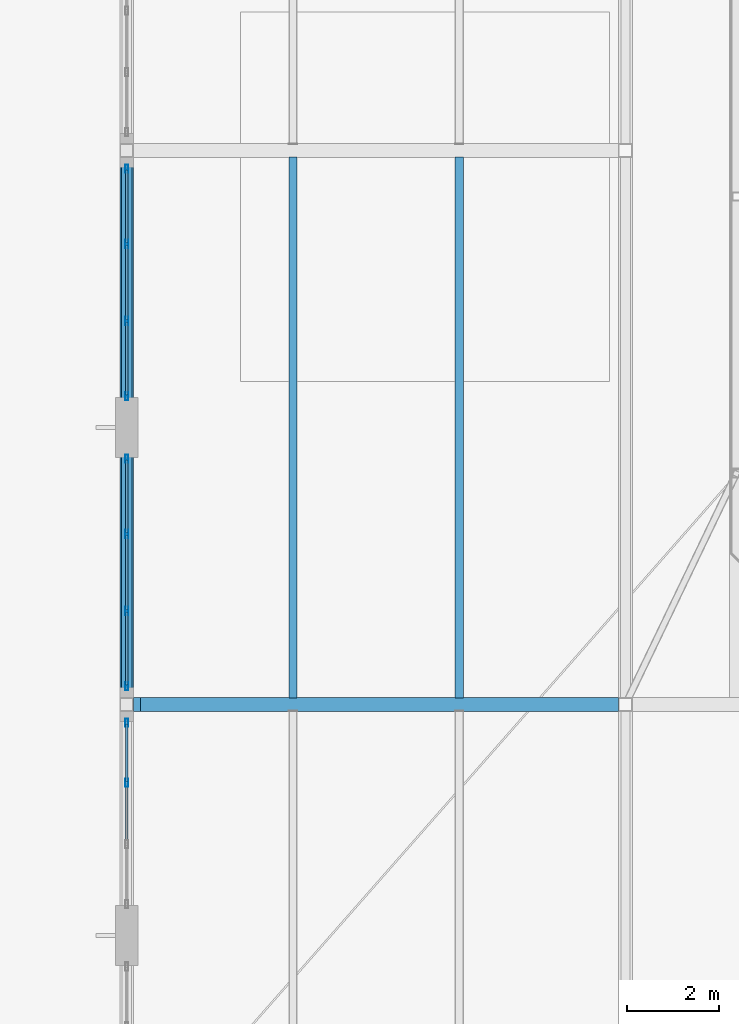
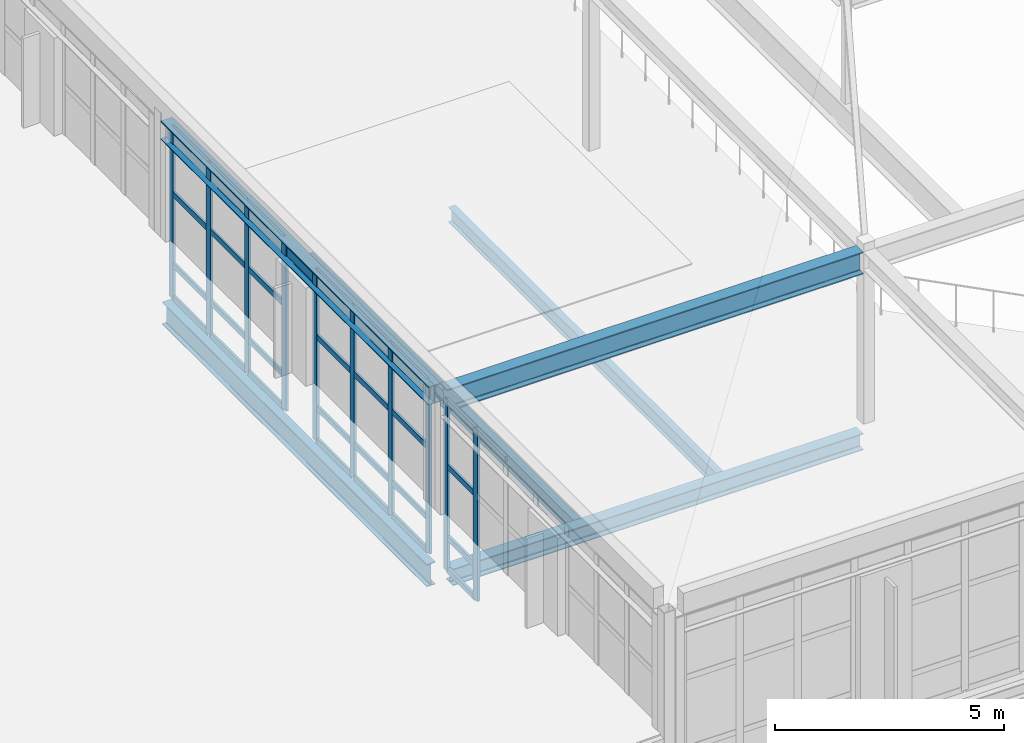
# One storey, part 12 of 86: 39 members, 6 beams, 3 elements without a shape of their own.
"""IFC4 building model written with IfcOpenShell, lengths in metres."""

from ifc_helpers import new_model, si_unit, direction, frame, origin, origin_2d, place, context, subcontext, project, spatial, hollow_rectangle, i_section, extrude, material, layer, layer_set, material_profile, profile_set, type_object, element, aggregate, save


model = new_model("IFC4")

# Units and contexts
model_context = context("Model", 3, precision=1e-05, world=origin(), true_north=direction((0.0, 1.0)))
body_context = subcontext(model_context, "Body", "Model", "MODEL_VIEW")
ifc_project = project(units=[si_unit("LENGTHUNIT", "METRE"), si_unit("AREAUNIT", "SQUARE_METRE"), si_unit("VOLUMEUNIT", "CUBIC_METRE"), si_unit("PLANEANGLEUNIT", "RADIAN"), si_unit("MASSUNIT", "GRAM", prefix="KILO")], contexts=[model_context])

# Site, building, storey
site_placement = place(None, origin())
site = spatial("IfcSite", under=ifc_project, at=site_placement, CompositionType="ELEMENT")
building_placement = place(site_placement, origin())
building = spatial("IfcBuilding", under=site, at=building_placement, Name="Tasgan Crest Museum", CompositionType="ELEMENT")
storey_placement = place(building_placement, frame((0.0, 0.0, 24.0)))
storey = spatial("IfcBuildingStorey", under=building, at=storey_placement, Name="L04", CompositionType="ELEMENT", Elevation=24.0)

# Beams
ifc_material_1 = material(Name="Steel S355J2", Category="steel")
ifc_material_profile_1 = material_profile(ifc_material_1, i_section(OverallWidth=0.300048828125, OverallDepth=0.43994140625, WebThickness=0.011474609375, FlangeThickness=0.02099609375, FilletRadius=0.027099609375, at=origin_2d()), Name="HEA 450")
ifc_profile_set_1 = profile_set([ifc_material_profile_1], Name="Steel S355J2")
beam_type_1 = type_object("IfcBeamType", Name="BM-G-HEA450", PredefinedType="BEAM", material=ifc_profile_set_1)
beam_1_placement = place(storey_placement, frame((54.2958984375, 50.0, -0.4599609375), z_axis=(1.0, 0.0, 0.0), x_axis=(0.0, 1.0, 0.0)))
element("IfcBeam", 1, at=beam_1_placement, inside=storey, type_object=beam_type_1, Name="Girder L04 F 54.0-64.8", PredefinedType="BEAM", context=body_context, shape_type="SweptSolid", body=[
    extrude(i_section(OverallWidth=0.300048828125, OverallDepth=0.43994140625, WebThickness=0.011474609375, FlangeThickness=0.02099609375, FilletRadius=0.027099609375, at=origin_2d()), origin(), (0.0, 0.0, 1.0), 10.358154296875),
])
ifc_material_2 = material(Name="Steel S355J2", Category="steel")
ifc_material_profile_2 = material_profile(ifc_material_2, i_section(OverallWidth=0.300048828125, OverallDepth=0.489990234375, WebThickness=0.011962890625, FlangeThickness=0.02294921875, FilletRadius=0.027099609375, at=origin_2d()), Name="HEA 500")
ifc_profile_set_2 = profile_set([ifc_material_profile_2], Name="Steel S355J2")
beam_type_2 = type_object("IfcBeamType", Name="BM-G-HEA500", PredefinedType="BEAM", material=ifc_profile_set_2)
beam_2_placement = place(storey_placement, frame((54.0, 50.14599609375, 4.35498046875), z_axis=(0.0, 1.0, 0.0), x_axis=(-1.0, 0.0, 0.0)))
element("IfcBeam", 2, at=beam_2_placement, inside=storey, type_object=beam_type_2, Name="Winter-garden roof beam 6 50-62", PredefinedType="BEAM", context=body_context, shape_type="SweptSolid", body=[
    extrude(i_section(OverallWidth=0.300048828125, OverallDepth=0.489990234375, WebThickness=0.011962890625, FlangeThickness=0.02294921875, FilletRadius=0.027099609375, at=origin_2d()), origin(), (0.0, 0.0, 1.0), 11.7080078125),
])
ifc_material_3 = material(Name="Steel S355J2", Category="steel")
ifc_material_profile_3 = material_profile(ifc_material_3, i_section(OverallWidth=0.300048828125, OverallDepth=0.590087890625, WebThickness=0.012939453125, FlangeThickness=0.02490234375, FilletRadius=0.027099609375, at=origin_2d()), Name="HEA 600")
ifc_profile_set_3 = profile_set([ifc_material_profile_3], Name="Steel S355J2")
beam_type_3 = type_object("IfcBeamType", Name="BM-G-HEA600", PredefinedType="BEAM", material=ifc_profile_set_3)
beam_3_placement = place(storey_placement, frame((54.14599609375, 50.0, 4.304931640625), z_axis=(1.0, 0.0, 0.0), x_axis=(0.0, 1.0, 0.0)))
element("IfcBeam", 3, at=beam_3_placement, inside=storey, type_object=beam_type_3, Name="Winter-garden roof girder F 54.0-64.8", PredefinedType="BEAM", context=body_context, shape_type="SweptSolid", body=[
    extrude(i_section(OverallWidth=0.300048828125, OverallDepth=0.590087890625, WebThickness=0.012939453125, FlangeThickness=0.02490234375, FilletRadius=0.027099609375, at=origin_2d()), origin(), (0.0, 0.0, 1.0), 10.508056640625),
])
ifc_material_4 = material(Name="Steel S355J2", Category="steel")
ifc_material_profile_4 = material_profile(ifc_material_4, i_section(OverallWidth=0.219970703125, OverallDepth=0.60009765625, WebThickness=0.011962890625, FlangeThickness=0.01904296875, FilletRadius=0.02392578125, at=origin_2d()), Name="IPE 600")
ifc_profile_set_4 = profile_set([ifc_material_profile_4], Name="Steel S355J2")
beam_type_4 = type_object("IfcBeamType", Name="BM-G-IPE600", PredefinedType="BEAM", material=ifc_profile_set_4)
beam_4_placement = place(storey_placement, frame((54.0, 50.294921875, -0.5400390625), z_axis=(0.0, 1.0, 0.0), x_axis=(-1.0, 0.0, 0.0)))
element("IfcBeam", 4, at=beam_4_placement, inside=storey, type_object=beam_type_4, Name="Beam L04 6 50.0-62.0", PredefinedType="BEAM", context=body_context, shape_type="SweptSolid", body=[
    extrude(i_section(OverallWidth=0.219970703125, OverallDepth=0.60009765625, WebThickness=0.011962890625, FlangeThickness=0.01904296875, FilletRadius=0.02392578125, at=origin_2d()), origin(), (0.0, 0.0, 1.0), 11.56005859375),
])
ifc_material_5 = material(Name="Steel S355J2", Category="steel")
ifc_material_profile_5 = material_profile(ifc_material_5, i_section(OverallWidth=0.179931640625, OverallDepth=0.39990234375, WebThickness=0.008544921875, FlangeThickness=0.013427734375, FilletRadius=0.02099609375, at=origin_2d()), Name="IPE 400")
ifc_profile_set_5 = profile_set([ifc_material_profile_5], Name="Steel S355J2")
beam_type_5 = type_object("IfcBeamType", Name="BM-J-IPE400", PredefinedType="JOIST", material=ifc_profile_set_5)
for number, where, z_axis, x_axis, name in (
    (5, (57.60009765625, 50.14501953125, -0.43994140625), (0.0, 1.0, 0.0), (-1.0, 0.0, 0.0), "Secondary joist L04 X=57.6 Y=50.0-62.0"),
    (6, (61.199951171875, 50.14501953125, -0.43994140625), (0.0, 1.0, 0.0), (-1.0, 0.0, 0.0), "Secondary joist L04 X=61.2 Y=50.0-62.0"),
):
    element("IfcBeam", number, at=place(storey_placement, frame(where, z_axis=z_axis, x_axis=x_axis)), inside=storey, type_object=beam_type_5, Name=name, PredefinedType="JOIST", context=body_context, shape_type="SweptSolid", body=[
        extrude(i_section(OverallWidth=0.179931640625, OverallDepth=0.39990234375, WebThickness=0.008544921875, FlangeThickness=0.013427734375, FilletRadius=0.02099609375, at=origin_2d()), origin(), (0.0, 0.0, 1.0), 11.7099609375),
    ])

# Curtain wall, members
ifc_material_6 = material(Name="Triple-Glazed Aluminium Curtain Wall", Category="aluminium")
ifc_layer_1 = layer(ifc_material_6, 0.179931640625, Name="CW-DRUM-Y12-48")
ifc_layer_set_1 = layer_set([ifc_layer_1], Name="Triple-Glazed Aluminium Curtain Wall")
curtain_wall_type_1 = type_object("IfcCurtainWallType", Name="CW-DRUM-Y12-48", PredefinedType="NOTDEFINED", material=ifc_layer_set_1)
curtain_wall_1_placement = place(storey_placement, origin())
curtain_wall_1 = element("IfcCurtainWall", 7, at=curtain_wall_1_placement, inside=storey, type_object=curtain_wall_type_1, Name="Curtain wall L04 181", PredefinedType="NOTDEFINED")
ifc_material_7 = material(Name="Anodised Aluminium", Category="aluminium")
ifc_material_profile_6 = material_profile(ifc_material_7, hollow_rectangle(XDim=0.06494140625, YDim=0.179931640625, WallThickness=0.0048828125, at=origin_2d()), Name="ALU MULLION 180x65x5")
ifc_profile_set_6 = profile_set([ifc_material_profile_6], Name="Anodised Aluminium")
member_type_1 = type_object("IfcMemberType", Name="CW-MULLION-180", PredefinedType="MULLION", material=ifc_profile_set_6)
member_1_placement = place(storey_placement, frame((54.0, 61.60498046875, 0.0), z_axis=(0.0, 0.0, 1.0), x_axis=(1.0, 0.0, 0.0)))
member_1 = element("IfcMember", 8, at=member_1_placement, type_object=member_type_1, Name="CW05 mullion 1", PredefinedType="MULLION", context=body_context, shape_type="SweptSolid", body=[
    extrude(hollow_rectangle(XDim=0.06494140625, YDim=0.179931640625, WallThickness=0.0048828125, at=origin_2d()), origin(), (0.0, 0.0, 1.0), 4.56005859375),
])
member_2_placement = place(storey_placement, frame((54.0, 59.9716796875, 0.0), z_axis=(0.0, 0.0, 1.0), x_axis=(1.0, 0.0, 0.0)))
member_2 = element("IfcMember", 9, at=member_2_placement, type_object=member_type_1, Name="CW05 mullion 2", PredefinedType="MULLION", context=body_context, shape_type="SweptSolid", body=[
    extrude(hollow_rectangle(XDim=0.06494140625, YDim=0.179931640625, WallThickness=0.0048828125, at=origin_2d()), origin(), (0.0, 0.0, 1.0), 4.56005859375),
])
member_3_placement = place(storey_placement, frame((54.0, 58.308349609375, 0.0), z_axis=(0.0, 0.0, 1.0), x_axis=(1.0, 0.0, 0.0)))
member_3 = element("IfcMember", 10, at=member_3_placement, type_object=member_type_1, Name="CW05 mullion 3", PredefinedType="MULLION", context=body_context, shape_type="SweptSolid", body=[
    extrude(hollow_rectangle(XDim=0.06494140625, YDim=0.179931640625, WallThickness=0.0048828125, at=origin_2d()), origin(), (0.0, 0.0, 1.0), 4.56005859375),
])
member_4_placement = place(storey_placement, frame((54.0, 56.675048828125, 0.0), z_axis=(0.0, 0.0, 1.0), x_axis=(1.0, 0.0, 0.0)))
member_4 = element("IfcMember", 11, at=member_4_placement, type_object=member_type_1, Name="CW05 mullion 4", PredefinedType="MULLION", context=body_context, shape_type="SweptSolid", body=[
    extrude(hollow_rectangle(XDim=0.06494140625, YDim=0.179931640625, WallThickness=0.0048828125, at=origin_2d()), origin(), (0.0, 0.0, 1.0), 4.56005859375),
])

curtain_wall_2_placement = place(storey_placement, origin())
curtain_wall_2 = element("IfcCurtainWall", 12, at=curtain_wall_2_placement, inside=storey, type_object=curtain_wall_type_1, Name="Curtain wall L04 182", PredefinedType="NOTDEFINED")
member_5_placement = place(storey_placement, frame((54.0, 55.324951171875, 0.0), z_axis=(0.0, 0.0, 1.0), x_axis=(1.0, 0.0, 0.0)))
member_5 = element("IfcMember", 13, at=member_5_placement, type_object=member_type_1, Name="CW05 mullion 1", PredefinedType="MULLION", context=body_context, shape_type="SweptSolid", body=[
    extrude(hollow_rectangle(XDim=0.06494140625, YDim=0.179931640625, WallThickness=0.0048828125, at=origin_2d()), origin(), (0.0, 0.0, 1.0), 4.56005859375),
])
member_6_placement = place(storey_placement, frame((54.0, 53.691650390625, 0.0), z_axis=(0.0, 0.0, 1.0), x_axis=(1.0, 0.0, 0.0)))
member_6 = element("IfcMember", 14, at=member_6_placement, type_object=member_type_1, Name="CW05 mullion 2", PredefinedType="MULLION", context=body_context, shape_type="SweptSolid", body=[
    extrude(hollow_rectangle(XDim=0.06494140625, YDim=0.179931640625, WallThickness=0.0048828125, at=origin_2d()), origin(), (0.0, 0.0, 1.0), 4.56005859375),
])
member_7_placement = place(storey_placement, frame((54.0, 52.0283203125, 0.0), z_axis=(0.0, 0.0, 1.0), x_axis=(1.0, 0.0, 0.0)))
member_7 = element("IfcMember", 15, at=member_7_placement, type_object=member_type_1, Name="CW05 mullion 3", PredefinedType="MULLION", context=body_context, shape_type="SweptSolid", body=[
    extrude(hollow_rectangle(XDim=0.06494140625, YDim=0.179931640625, WallThickness=0.0048828125, at=origin_2d()), origin(), (0.0, 0.0, 1.0), 4.56005859375),
])
member_8_placement = place(storey_placement, frame((54.0, 50.39501953125, 0.0), z_axis=(0.0, 0.0, 1.0), x_axis=(1.0, 0.0, 0.0)))
member_8 = element("IfcMember", 16, at=member_8_placement, type_object=member_type_1, Name="CW05 mullion 4", PredefinedType="MULLION", context=body_context, shape_type="SweptSolid", body=[
    extrude(hollow_rectangle(XDim=0.06494140625, YDim=0.179931640625, WallThickness=0.0048828125, at=origin_2d()), origin(), (0.0, 0.0, 1.0), 4.56005859375),
])

ifc_material_8 = material(Name="Triple-Glazed Aluminium Curtain Wall", Category="aluminium")
ifc_layer_2 = layer(ifc_material_8, 0.179931640625, Name="CW-DRUM-Y10-48")
ifc_layer_set_2 = layer_set([ifc_layer_2], Name="Triple-Glazed Aluminium Curtain Wall")
curtain_wall_type_2 = type_object("IfcCurtainWallType", Name="CW-DRUM-Y10-48", PredefinedType="NOTDEFINED", material=ifc_layer_set_2)
curtain_wall_3_placement = place(storey_placement, origin())
curtain_wall_3 = element("IfcCurtainWall", 17, at=curtain_wall_3_placement, inside=storey, type_object=curtain_wall_type_2, Name="Curtain wall L04 183", PredefinedType="NOTDEFINED")
member_9_placement = place(storey_placement, frame((54.0, 49.60498046875, 0.0), z_axis=(0.0, 0.0, 1.0), x_axis=(1.0, 0.0, 0.0)))
member_9 = element("IfcMember", 18, at=member_9_placement, type_object=member_type_1, Name="CW04 mullion 1", PredefinedType="MULLION", context=body_context, shape_type="SweptSolid", body=[
    extrude(hollow_rectangle(XDim=0.06494140625, YDim=0.179931640625, WallThickness=0.0048828125, at=origin_2d()), origin(), (0.0, 0.0, 1.0), 4.56005859375),
])
member_10_placement = place(storey_placement, frame((54.0, 48.304931640625, 0.0), z_axis=(0.0, 0.0, 1.0), x_axis=(1.0, 0.0, 0.0)))
member_10 = element("IfcMember", 19, at=member_10_placement, type_object=member_type_1, Name="CW04 mullion 2", PredefinedType="MULLION", context=body_context, shape_type="SweptSolid", body=[
    extrude(hollow_rectangle(XDim=0.06494140625, YDim=0.179931640625, WallThickness=0.0048828125, at=origin_2d()), origin(), (0.0, 0.0, 1.0), 4.56005859375),
])

# Member
ifc_material_9 = material(Name="Anodised Aluminium", Category="aluminium")
ifc_material_profile_7 = material_profile(ifc_material_9, hollow_rectangle(XDim=0.06005859375, YDim=0.14990234375, WallThickness=0.0048828125, at=origin_2d()), Name="ALU TRANSOM 150x60x5")
ifc_profile_set_7 = profile_set([ifc_material_profile_7], Name="Anodised Aluminium")
member_type_2 = type_object("IfcMemberType", Name="CW-TRANSOM-150", PredefinedType="USERDEFINED", material=ifc_profile_set_7)
member_11_placement = place(storey_placement, frame((54.0, 61.574951171875, 0.030029296875), z_axis=(0.0, -1.0, 0.0), x_axis=(1.0, 0.0, 0.0)))
member_11 = element("IfcMember", 20, at=member_11_placement, type_object=member_type_2, Name="CW05 transom 1.1", ObjectType="TRANSOM", PredefinedType="USERDEFINED", context=body_context, shape_type="SweptSolid", body=[
    extrude(hollow_rectangle(XDim=0.06005859375, YDim=0.14990234375, WallThickness=0.0048828125, at=origin_2d()), origin(), (0.0, 0.0, 1.0), 1.5732421875),
])

member_12_placement = place(storey_placement, frame((54.0, 61.574951171875, 0.89990234375), z_axis=(0.0, -1.0, 0.0), x_axis=(1.0, 0.0, 0.0)))
member_12 = element("IfcMember", 21, at=member_12_placement, type_object=member_type_2, Name="CW05 transom 1.2", ObjectType="TRANSOM", PredefinedType="USERDEFINED", context=body_context, shape_type="SweptSolid", body=[
    extrude(hollow_rectangle(XDim=0.06005859375, YDim=0.14990234375, WallThickness=0.0048828125, at=origin_2d()), origin(), (0.0, 0.0, 1.0), 1.5732421875),
])

member_13_placement = place(storey_placement, frame((54.0, 61.574951171875, 2.800048828125), z_axis=(0.0, -1.0, 0.0), x_axis=(1.0, 0.0, 0.0)))
member_13 = element("IfcMember", 22, at=member_13_placement, type_object=member_type_2, Name="CW05 transom 1.3", ObjectType="TRANSOM", PredefinedType="USERDEFINED", context=body_context, shape_type="SweptSolid", body=[
    extrude(hollow_rectangle(XDim=0.06005859375, YDim=0.14990234375, WallThickness=0.0048828125, at=origin_2d()), origin(), (0.0, 0.0, 1.0), 1.5732421875),
])

member_14_placement = place(storey_placement, frame((54.0, 61.574951171875, 4.530029296875), z_axis=(0.0, -1.0, 0.0), x_axis=(1.0, 0.0, 0.0)))
member_14 = element("IfcMember", 23, at=member_14_placement, type_object=member_type_2, Name="CW05 transom 1.4", ObjectType="TRANSOM", PredefinedType="USERDEFINED", context=body_context, shape_type="SweptSolid", body=[
    extrude(hollow_rectangle(XDim=0.06005859375, YDim=0.14990234375, WallThickness=0.0048828125, at=origin_2d()), origin(), (0.0, 0.0, 1.0), 1.5732421875),
])

member_15_placement = place(storey_placement, frame((54.0, 59.941650390625, 0.030029296875), z_axis=(0.0, -1.0, 0.0), x_axis=(1.0, 0.0, 0.0)))
member_15 = element("IfcMember", 24, at=member_15_placement, type_object=member_type_2, Name="CW05 transom 2.1", ObjectType="TRANSOM", PredefinedType="USERDEFINED", context=body_context, shape_type="SweptSolid", body=[
    extrude(hollow_rectangle(XDim=0.06005859375, YDim=0.14990234375, WallThickness=0.0048828125, at=origin_2d()), origin(), (0.0, 0.0, 1.0), 1.603271484375),
])

member_16_placement = place(storey_placement, frame((54.0, 59.941650390625, 0.89990234375), z_axis=(0.0, -1.0, 0.0), x_axis=(1.0, 0.0, 0.0)))
member_16 = element("IfcMember", 25, at=member_16_placement, type_object=member_type_2, Name="CW05 transom 2.2", ObjectType="TRANSOM", PredefinedType="USERDEFINED", context=body_context, shape_type="SweptSolid", body=[
    extrude(hollow_rectangle(XDim=0.06005859375, YDim=0.14990234375, WallThickness=0.0048828125, at=origin_2d()), origin(), (0.0, 0.0, 1.0), 1.603271484375),
])

member_17_placement = place(storey_placement, frame((54.0, 59.941650390625, 2.800048828125), z_axis=(0.0, -1.0, 0.0), x_axis=(1.0, 0.0, 0.0)))
member_17 = element("IfcMember", 26, at=member_17_placement, type_object=member_type_2, Name="CW05 transom 2.3", ObjectType="TRANSOM", PredefinedType="USERDEFINED", context=body_context, shape_type="SweptSolid", body=[
    extrude(hollow_rectangle(XDim=0.06005859375, YDim=0.14990234375, WallThickness=0.0048828125, at=origin_2d()), origin(), (0.0, 0.0, 1.0), 1.603271484375),
])

member_18_placement = place(storey_placement, frame((54.0, 59.941650390625, 4.530029296875), z_axis=(0.0, -1.0, 0.0), x_axis=(1.0, 0.0, 0.0)))
member_18 = element("IfcMember", 27, at=member_18_placement, type_object=member_type_2, Name="CW05 transom 2.4", ObjectType="TRANSOM", PredefinedType="USERDEFINED", context=body_context, shape_type="SweptSolid", body=[
    extrude(hollow_rectangle(XDim=0.06005859375, YDim=0.14990234375, WallThickness=0.0048828125, at=origin_2d()), origin(), (0.0, 0.0, 1.0), 1.603271484375),
])

member_19_placement = place(storey_placement, frame((54.0, 58.2783203125, 0.030029296875), z_axis=(0.0, -1.0, 0.0), x_axis=(1.0, 0.0, 0.0)))
member_19 = element("IfcMember", 28, at=member_19_placement, type_object=member_type_2, Name="CW05 transom 3.1", ObjectType="TRANSOM", PredefinedType="USERDEFINED", context=body_context, shape_type="SweptSolid", body=[
    extrude(hollow_rectangle(XDim=0.06005859375, YDim=0.14990234375, WallThickness=0.0048828125, at=origin_2d()), origin(), (0.0, 0.0, 1.0), 1.5732421875),
])

member_20_placement = place(storey_placement, frame((54.0, 58.2783203125, 0.89990234375), z_axis=(0.0, -1.0, 0.0), x_axis=(1.0, 0.0, 0.0)))
member_20 = element("IfcMember", 29, at=member_20_placement, type_object=member_type_2, Name="CW05 transom 3.2", ObjectType="TRANSOM", PredefinedType="USERDEFINED", context=body_context, shape_type="SweptSolid", body=[
    extrude(hollow_rectangle(XDim=0.06005859375, YDim=0.14990234375, WallThickness=0.0048828125, at=origin_2d()), origin(), (0.0, 0.0, 1.0), 1.5732421875),
])

member_21_placement = place(storey_placement, frame((54.0, 58.2783203125, 2.800048828125), z_axis=(0.0, -1.0, 0.0), x_axis=(1.0, 0.0, 0.0)))
member_21 = element("IfcMember", 30, at=member_21_placement, type_object=member_type_2, Name="CW05 transom 3.3", ObjectType="TRANSOM", PredefinedType="USERDEFINED", context=body_context, shape_type="SweptSolid", body=[
    extrude(hollow_rectangle(XDim=0.06005859375, YDim=0.14990234375, WallThickness=0.0048828125, at=origin_2d()), origin(), (0.0, 0.0, 1.0), 1.5732421875),
])

member_22_placement = place(storey_placement, frame((54.0, 58.2783203125, 4.530029296875), z_axis=(0.0, -1.0, 0.0), x_axis=(1.0, 0.0, 0.0)))
member_22 = element("IfcMember", 31, at=member_22_placement, type_object=member_type_2, Name="CW05 transom 3.4", ObjectType="TRANSOM", PredefinedType="USERDEFINED", context=body_context, shape_type="SweptSolid", body=[
    extrude(hollow_rectangle(XDim=0.06005859375, YDim=0.14990234375, WallThickness=0.0048828125, at=origin_2d()), origin(), (0.0, 0.0, 1.0), 1.5732421875),
])

aggregate(curtain_wall_1, [member_1, member_2, member_3, member_4, member_11, member_12, member_13, member_14, member_15, member_16, member_17, member_18, member_19, member_20, member_21, member_22])

member_23_placement = place(storey_placement, frame((54.0, 55.294921875, 0.030029296875), z_axis=(0.0, -1.0, 0.0), x_axis=(1.0, 0.0, 0.0)))
member_23 = element("IfcMember", 32, at=member_23_placement, type_object=member_type_2, Name="CW05 transom 1.1", ObjectType="TRANSOM", PredefinedType="USERDEFINED", context=body_context, shape_type="SweptSolid", body=[
    extrude(hollow_rectangle(XDim=0.06005859375, YDim=0.14990234375, WallThickness=0.0048828125, at=origin_2d()), origin(), (0.0, 0.0, 1.0), 1.5732421875),
])

member_24_placement = place(storey_placement, frame((54.0, 55.294921875, 0.89990234375), z_axis=(0.0, -1.0, 0.0), x_axis=(1.0, 0.0, 0.0)))
member_24 = element("IfcMember", 33, at=member_24_placement, type_object=member_type_2, Name="CW05 transom 1.2", ObjectType="TRANSOM", PredefinedType="USERDEFINED", context=body_context, shape_type="SweptSolid", body=[
    extrude(hollow_rectangle(XDim=0.06005859375, YDim=0.14990234375, WallThickness=0.0048828125, at=origin_2d()), origin(), (0.0, 0.0, 1.0), 1.5732421875),
])

member_25_placement = place(storey_placement, frame((54.0, 55.294921875, 2.800048828125), z_axis=(0.0, -1.0, 0.0), x_axis=(1.0, 0.0, 0.0)))
member_25 = element("IfcMember", 34, at=member_25_placement, type_object=member_type_2, Name="CW05 transom 1.3", ObjectType="TRANSOM", PredefinedType="USERDEFINED", context=body_context, shape_type="SweptSolid", body=[
    extrude(hollow_rectangle(XDim=0.06005859375, YDim=0.14990234375, WallThickness=0.0048828125, at=origin_2d()), origin(), (0.0, 0.0, 1.0), 1.5732421875),
])

member_26_placement = place(storey_placement, frame((54.0, 55.294921875, 4.530029296875), z_axis=(0.0, -1.0, 0.0), x_axis=(1.0, 0.0, 0.0)))
member_26 = element("IfcMember", 35, at=member_26_placement, type_object=member_type_2, Name="CW05 transom 1.4", ObjectType="TRANSOM", PredefinedType="USERDEFINED", context=body_context, shape_type="SweptSolid", body=[
    extrude(hollow_rectangle(XDim=0.06005859375, YDim=0.14990234375, WallThickness=0.0048828125, at=origin_2d()), origin(), (0.0, 0.0, 1.0), 1.5732421875),
])

member_27_placement = place(storey_placement, frame((54.0, 53.66162109375, 0.030029296875), z_axis=(0.0, -1.0, 0.0), x_axis=(1.0, 0.0, 0.0)))
member_27 = element("IfcMember", 36, at=member_27_placement, type_object=member_type_2, Name="CW05 transom 2.1", ObjectType="TRANSOM", PredefinedType="USERDEFINED", context=body_context, shape_type="SweptSolid", body=[
    extrude(hollow_rectangle(XDim=0.06005859375, YDim=0.14990234375, WallThickness=0.0048828125, at=origin_2d()), origin(), (0.0, 0.0, 1.0), 1.603271484375),
])

member_28_placement = place(storey_placement, frame((54.0, 53.66162109375, 0.89990234375), z_axis=(0.0, -1.0, 0.0), x_axis=(1.0, 0.0, 0.0)))
member_28 = element("IfcMember", 37, at=member_28_placement, type_object=member_type_2, Name="CW05 transom 2.2", ObjectType="TRANSOM", PredefinedType="USERDEFINED", context=body_context, shape_type="SweptSolid", body=[
    extrude(hollow_rectangle(XDim=0.06005859375, YDim=0.14990234375, WallThickness=0.0048828125, at=origin_2d()), origin(), (0.0, 0.0, 1.0), 1.603271484375),
])

member_29_placement = place(storey_placement, frame((54.0, 53.66162109375, 2.800048828125), z_axis=(0.0, -1.0, 0.0), x_axis=(1.0, 0.0, 0.0)))
member_29 = element("IfcMember", 38, at=member_29_placement, type_object=member_type_2, Name="CW05 transom 2.3", ObjectType="TRANSOM", PredefinedType="USERDEFINED", context=body_context, shape_type="SweptSolid", body=[
    extrude(hollow_rectangle(XDim=0.06005859375, YDim=0.14990234375, WallThickness=0.0048828125, at=origin_2d()), origin(), (0.0, 0.0, 1.0), 1.603271484375),
])

member_30_placement = place(storey_placement, frame((54.0, 53.66162109375, 4.530029296875), z_axis=(0.0, -1.0, 0.0), x_axis=(1.0, 0.0, 0.0)))
member_30 = element("IfcMember", 39, at=member_30_placement, type_object=member_type_2, Name="CW05 transom 2.4", ObjectType="TRANSOM", PredefinedType="USERDEFINED", context=body_context, shape_type="SweptSolid", body=[
    extrude(hollow_rectangle(XDim=0.06005859375, YDim=0.14990234375, WallThickness=0.0048828125, at=origin_2d()), origin(), (0.0, 0.0, 1.0), 1.603271484375),
])

member_31_placement = place(storey_placement, frame((54.0, 51.998291015625, 0.030029296875), z_axis=(0.0, -1.0, 0.0), x_axis=(1.0, 0.0, 0.0)))
member_31 = element("IfcMember", 40, at=member_31_placement, type_object=member_type_2, Name="CW05 transom 3.1", ObjectType="TRANSOM", PredefinedType="USERDEFINED", context=body_context, shape_type="SweptSolid", body=[
    extrude(hollow_rectangle(XDim=0.06005859375, YDim=0.14990234375, WallThickness=0.0048828125, at=origin_2d()), origin(), (0.0, 0.0, 1.0), 1.5732421875),
])

member_32_placement = place(storey_placement, frame((54.0, 51.998291015625, 0.89990234375), z_axis=(0.0, -1.0, 0.0), x_axis=(1.0, 0.0, 0.0)))
member_32 = element("IfcMember", 41, at=member_32_placement, type_object=member_type_2, Name="CW05 transom 3.2", ObjectType="TRANSOM", PredefinedType="USERDEFINED", context=body_context, shape_type="SweptSolid", body=[
    extrude(hollow_rectangle(XDim=0.06005859375, YDim=0.14990234375, WallThickness=0.0048828125, at=origin_2d()), origin(), (0.0, 0.0, 1.0), 1.5732421875),
])

member_33_placement = place(storey_placement, frame((54.0, 51.998291015625, 2.800048828125), z_axis=(0.0, -1.0, 0.0), x_axis=(1.0, 0.0, 0.0)))
member_33 = element("IfcMember", 42, at=member_33_placement, type_object=member_type_2, Name="CW05 transom 3.3", ObjectType="TRANSOM", PredefinedType="USERDEFINED", context=body_context, shape_type="SweptSolid", body=[
    extrude(hollow_rectangle(XDim=0.06005859375, YDim=0.14990234375, WallThickness=0.0048828125, at=origin_2d()), origin(), (0.0, 0.0, 1.0), 1.5732421875),
])

member_34_placement = place(storey_placement, frame((54.0, 51.998291015625, 4.530029296875), z_axis=(0.0, -1.0, 0.0), x_axis=(1.0, 0.0, 0.0)))
member_34 = element("IfcMember", 43, at=member_34_placement, type_object=member_type_2, Name="CW05 transom 3.4", ObjectType="TRANSOM", PredefinedType="USERDEFINED", context=body_context, shape_type="SweptSolid", body=[
    extrude(hollow_rectangle(XDim=0.06005859375, YDim=0.14990234375, WallThickness=0.0048828125, at=origin_2d()), origin(), (0.0, 0.0, 1.0), 1.5732421875),
])

aggregate(curtain_wall_2, [member_5, member_6, member_7, member_8, member_23, member_24, member_25, member_26, member_27, member_28, member_29, member_30, member_31, member_32, member_33, member_34])

member_35_placement = place(storey_placement, frame((54.0, 49.574951171875, 0.030029296875), z_axis=(0.0, -1.0, 0.0), x_axis=(1.0, 0.0, 0.0)))
member_35 = element("IfcMember", 44, at=member_35_placement, type_object=member_type_2, Name="CW04 transom 1.1", ObjectType="TRANSOM", PredefinedType="USERDEFINED", context=body_context, shape_type="SweptSolid", body=[
    extrude(hollow_rectangle(XDim=0.06005859375, YDim=0.14990234375, WallThickness=0.0048828125, at=origin_2d()), origin(), (0.0, 0.0, 1.0), 1.239990234375),
])

member_36_placement = place(storey_placement, frame((54.0, 49.574951171875, 0.89990234375), z_axis=(0.0, -1.0, 0.0), x_axis=(1.0, 0.0, 0.0)))
member_36 = element("IfcMember", 45, at=member_36_placement, type_object=member_type_2, Name="CW04 transom 1.2", ObjectType="TRANSOM", PredefinedType="USERDEFINED", context=body_context, shape_type="SweptSolid", body=[
    extrude(hollow_rectangle(XDim=0.06005859375, YDim=0.14990234375, WallThickness=0.0048828125, at=origin_2d()), origin(), (0.0, 0.0, 1.0), 1.239990234375),
])

member_37_placement = place(storey_placement, frame((54.0, 49.574951171875, 2.800048828125), z_axis=(0.0, -1.0, 0.0), x_axis=(1.0, 0.0, 0.0)))
member_37 = element("IfcMember", 46, at=member_37_placement, type_object=member_type_2, Name="CW04 transom 1.3", ObjectType="TRANSOM", PredefinedType="USERDEFINED", context=body_context, shape_type="SweptSolid", body=[
    extrude(hollow_rectangle(XDim=0.06005859375, YDim=0.14990234375, WallThickness=0.0048828125, at=origin_2d()), origin(), (0.0, 0.0, 1.0), 1.239990234375),
])

member_38_placement = place(storey_placement, frame((54.0, 49.574951171875, 4.530029296875), z_axis=(0.0, -1.0, 0.0), x_axis=(1.0, 0.0, 0.0)))
member_38 = element("IfcMember", 47, at=member_38_placement, type_object=member_type_2, Name="CW04 transom 1.4", ObjectType="TRANSOM", PredefinedType="USERDEFINED", context=body_context, shape_type="SweptSolid", body=[
    extrude(hollow_rectangle(XDim=0.06005859375, YDim=0.14990234375, WallThickness=0.0048828125, at=origin_2d()), origin(), (0.0, 0.0, 1.0), 1.239990234375),
])

member_39_placement = place(storey_placement, frame((54.0, 48.27490234375, 4.530029296875), z_axis=(0.0, -1.0, 0.0), x_axis=(1.0, 0.0, 0.0)))
member_39 = element("IfcMember", 48, at=member_39_placement, type_object=member_type_2, Name="CW04 transom 2.4", ObjectType="TRANSOM", PredefinedType="USERDEFINED", context=body_context, shape_type="SweptSolid", body=[
    extrude(hollow_rectangle(XDim=0.06005859375, YDim=0.14990234375, WallThickness=0.0048828125, at=origin_2d()), origin(), (0.0, 0.0, 1.0), 1.27001953125),
])

aggregate(curtain_wall_3, [member_9, member_10, member_35, member_36, member_37, member_38, member_39])

save(model, "model.ifc")
